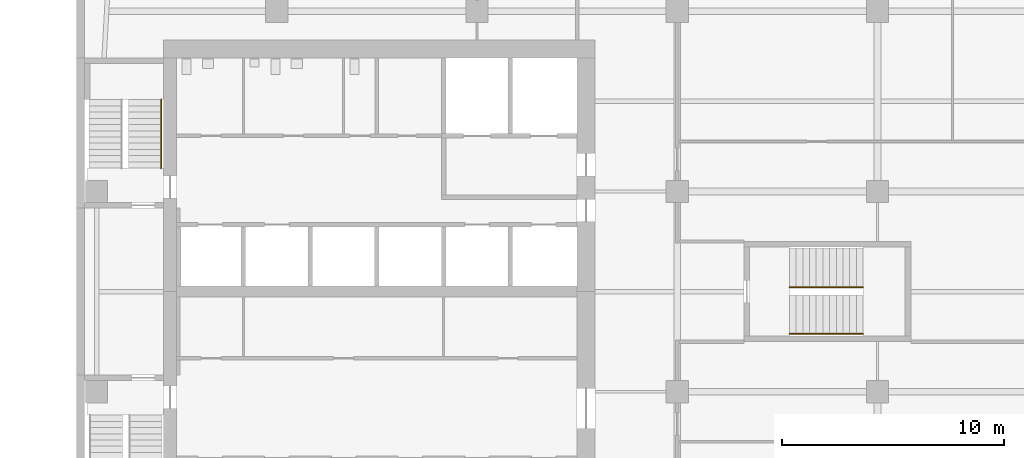
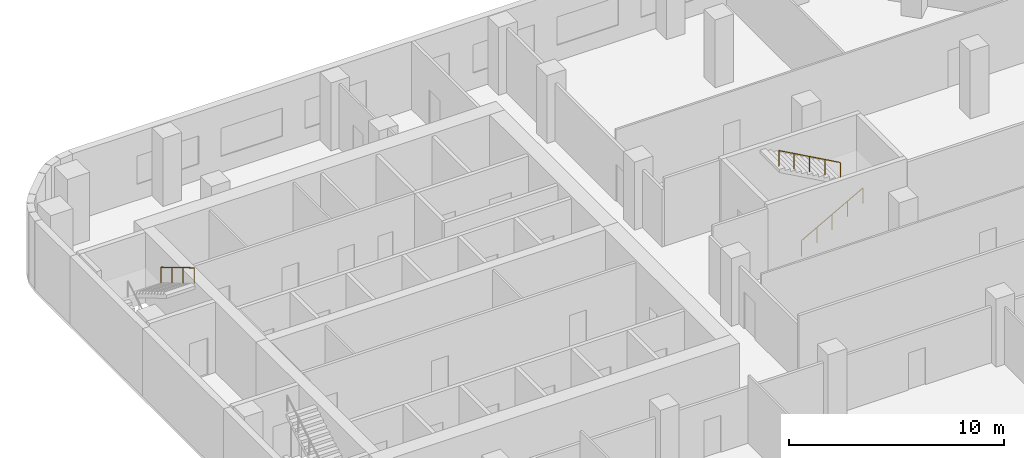
# One storey, part 13 of 14: 3 railings, 2 elements without a shape of their own.
"""IFC4 building model written with IfcOpenShell, lengths in metres."""

from ifc_helpers import new_model, si_unit, direction, frame, origin, origin_2d, place, context, subcontext, project, spatial, circle, extrude, material, type_object, element, aggregate, save


model = new_model("IFC4")

# Units and contexts
model_context = context("Model", 3, precision=1e-05, world=origin(), true_north=direction((0.0, 1.0)))
body_context = subcontext(model_context, "Body", "Model", "MODEL_VIEW")
ifc_project = project(units=[si_unit("LENGTHUNIT", "METRE"), si_unit("AREAUNIT", "SQUARE_METRE"), si_unit("VOLUMEUNIT", "CUBIC_METRE"), si_unit("PLANEANGLEUNIT", "RADIAN"), si_unit("MASSUNIT", "GRAM", prefix="KILO")], contexts=[model_context])

# Site, building, storey
site_placement = place(None, origin())
site = spatial("IfcSite", under=ifc_project, at=site_placement, CompositionType="ELEMENT")
building_placement = place(site_placement, origin())
building = spatial("IfcBuilding", under=site, at=building_placement, Name="Cinnabar Reach Civic Tower", CompositionType="ELEMENT")
storey_placement = place(building_placement, frame((0.0, 0.0, 128.0)))
storey = spatial("IfcBuildingStorey", under=building, at=storey_placement, Name="L30", CompositionType="ELEMENT", Elevation=128.0)

# Stair, railing
ifc_material_1 = material(Name="Concrete C40/50", Category="concrete")
stair_type = type_object("IfcStairType", Name="T1 Exit stair, half-turn", PredefinedType="HALF_TURN_STAIR", material=ifc_material_1)
stair_1_placement = place(storey_placement, origin())
stair_1 = element("IfcStair", 1, at=stair_1_placement, inside=storey, type_object=stair_type, Name="Stair T1-S2", PredefinedType="HALF_TURN_STAIR")
ifc_material_2 = material(Name="Stainless steel tube", Category="steel")
railing_type = type_object("IfcRailingType", Name="T1 Stair handrail, stainless tube 48", PredefinedType="HANDRAIL", material=ifc_material_2)
railing_1_placement = place(storey_placement, frame((3.8, 40.13, 2.1667)))
railing_1 = element("IfcRailing", 2, at=railing_1_placement, type_object=railing_type, Name="T1-S2 handrail 2", PredefinedType="HANDRAIL", context=body_context, shape_type="SweptSolid", body=[
    extrude(circle(Radius=0.024, at=origin_2d()), frame((0.0, 0.0, 0.876), z_axis=(0.0, -0.859296971757, 0.511476992962), x_axis=(1.0, 0.0, 0.0)), (0.0, 0.0, 1.0), 3.5843),
    extrude(circle(Radius=0.021, at=origin_2d()), origin(), (0.0, 0.0, 1.0), 0.852),
    extrude(circle(Radius=0.021, at=origin_2d()), frame((0.0, -1.0267, 0.6111)), (0.0, 0.0, 1.0), 0.852),
    extrude(circle(Radius=0.021, at=origin_2d()), frame((0.0, -2.0533, 1.2222)), (0.0, 0.0, 1.0), 0.852),
    extrude(circle(Radius=0.021, at=origin_2d()), frame((0.0, -3.08, 1.8333)), (0.0, 0.0, 1.0), 0.852),
])
aggregate(stair_1, [railing_1])

# Stair, railings
stair_2_placement = place(storey_placement, origin())
stair_2 = element("IfcStair", 3, at=stair_2_placement, inside=storey, type_object=stair_type, Name="Stair T1-S3", PredefinedType="HALF_TURN_STAIR")
railing_2_placement = place(storey_placement, frame((32.05, 29.6, 0.1667)))
railing_2 = element("IfcRailing", 4, at=railing_2_placement, type_object=railing_type, Name="T1-S3 handrail 1", PredefinedType="HANDRAIL", context=body_context, shape_type="SweptSolid", body=[
    extrude(circle(Radius=0.024, at=origin_2d()), frame((0.0, 0.0, 0.876), z_axis=(0.874161024642, 0.0, 0.485636183781), x_axis=(0.0, 1.0, 0.0)), (0.0, 0.0, 1.0), 3.775),
    extrude(circle(Radius=0.021, at=origin_2d()), origin(), (0.0, 0.0, 1.0), 0.852),
    extrude(circle(Radius=0.021, at=origin_2d()), frame((0.825, 0.0, 0.4583)), (0.0, 0.0, 1.0), 0.852),
    extrude(circle(Radius=0.021, at=origin_2d()), frame((1.65, 0.0, 0.9167)), (0.0, 0.0, 1.0), 0.852),
    extrude(circle(Radius=0.021, at=origin_2d()), frame((2.475, 0.0, 1.375)), (0.0, 0.0, 1.0), 0.852),
    extrude(circle(Radius=0.021, at=origin_2d()), frame((3.3, 0.0, 1.8333)), (0.0, 0.0, 1.0), 0.852),
])
railing_3_placement = place(storey_placement, frame((35.35, 31.7, 2.1667)))
railing_3 = element("IfcRailing", 5, at=railing_3_placement, type_object=railing_type, Name="T1-S3 handrail 2", PredefinedType="HANDRAIL", context=body_context, shape_type="SweptSolid", body=[
    extrude(circle(Radius=0.024, at=origin_2d()), frame((0.0, 0.0, 0.876), z_axis=(-0.874161024642, 0.0, 0.485636183781), x_axis=(0.0, -1.0, 0.0)), (0.0, 0.0, 1.0), 3.775),
    extrude(circle(Radius=0.021, at=origin_2d()), origin(), (0.0, 0.0, 1.0), 0.852),
    extrude(circle(Radius=0.021, at=origin_2d()), frame((-0.825, 0.0, 0.4583)), (0.0, 0.0, 1.0), 0.852),
    extrude(circle(Radius=0.021, at=origin_2d()), frame((-1.65, 0.0, 0.9167)), (0.0, 0.0, 1.0), 0.852),
    extrude(circle(Radius=0.021, at=origin_2d()), frame((-2.475, 0.0, 1.375)), (0.0, 0.0, 1.0), 0.852),
    extrude(circle(Radius=0.021, at=origin_2d()), frame((-3.3, 0.0, 1.8333)), (0.0, 0.0, 1.0), 0.852),
])
aggregate(stair_2, [railing_2, railing_3])

save(model, "model.ifc")
